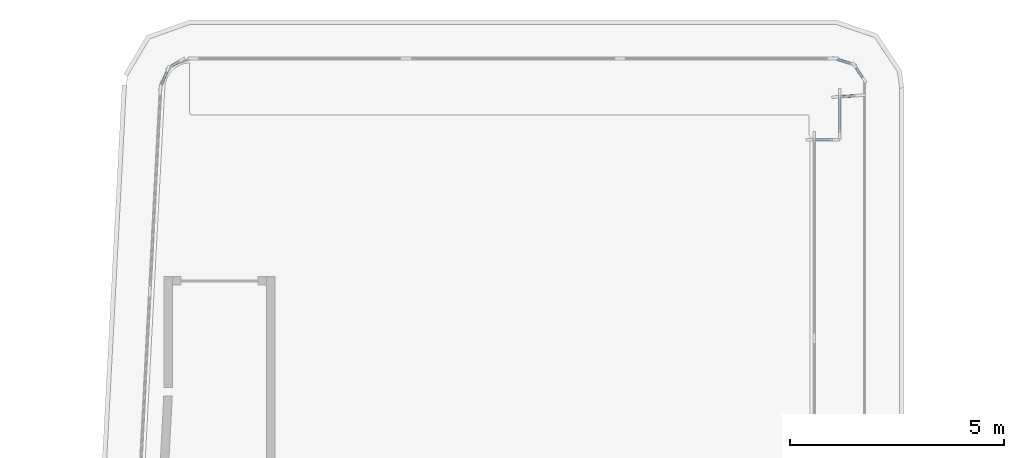
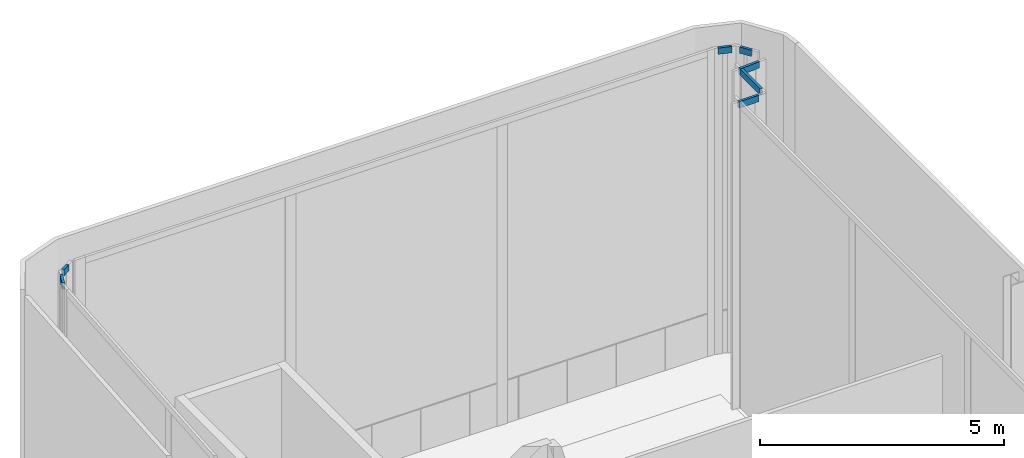
# One storey, part 10 of 23: 7 members, 7 elements without a shape of their own.
"""IFC4 building model written with IfcOpenShell, lengths in metres."""

from ifc_helpers import new_model, si_unit, direction, frame, origin, origin_2d, place, context, subcontext, project, spatial, rectangle, extrude, material, layer, layer_set, material_profile, profile_set, type_object, element, aggregate, save


model = new_model("IFC4")

# Units and contexts
model_context = context("Model", 3, precision=1e-05, world=origin(), true_north=direction((0.0, 1.0)))
body_context = subcontext(model_context, "Body", "Model", "MODEL_VIEW")
ifc_project = project(units=[si_unit("LENGTHUNIT", "METRE"), si_unit("AREAUNIT", "SQUARE_METRE"), si_unit("VOLUMEUNIT", "CUBIC_METRE"), si_unit("PLANEANGLEUNIT", "RADIAN"), si_unit("MASSUNIT", "GRAM", prefix="KILO")], contexts=[model_context])

# Site, building, storey
site_placement = place(None, origin())
site = spatial("IfcSite", under=ifc_project, at=site_placement, CompositionType="ELEMENT")
building_placement = place(site_placement, origin())
building = spatial("IfcBuilding", under=site, at=building_placement, Name="Kheshtan School and Residences Tower", CompositionType="ELEMENT")
storey_placement = place(building_placement, frame((0.0, 0.0, 389.0)))
storey = spatial("IfcBuildingStorey", under=building, at=storey_placement, Name="L92", CompositionType="ELEMENT", Elevation=389.0)

# Curtain wall, member
ifc_material_1 = material(Name="Clear low-e glass in thermally broken aluminium frame", Category="aluminium")
ifc_layer = layer(ifc_material_1, 0.25)
ifc_layer_set = layer_set([ifc_layer], Name="Curtain wall CW-K")
curtain_wall_type = type_object("IfcCurtainWallType", Name="Curtain wall CW-K", PredefinedType="NOTDEFINED", material=ifc_layer_set)
curtain_wall_1_placement = place(storey_placement, origin())
curtain_wall_1 = element("IfcCurtainWall", 1, at=curtain_wall_1_placement, inside=storey, type_object=curtain_wall_type, Name="Curtain wall CWK11a", PredefinedType="NOTDEFINED")
ifc_material_2 = material(Name="Thermally broken aluminium, dark bronze anodised", Category="aluminium")
ifc_material_profile = material_profile(ifc_material_2, rectangle(XDim=0.06005859375, YDim=0.159912109375, at=origin_2d()), Name="CW-K transom 60x160")
ifc_profile_set = profile_set([ifc_material_profile], Name="Thermally broken aluminium, dark bronze anodised")
member_type = type_object("IfcMemberType", Name="CW-K transom 60x160", PredefinedType="USERDEFINED", material=ifc_profile_set)
member_1_placement = place(storey_placement, frame((30.75146484375, 98.59375, 7.570068359375), z_axis=(0.370720586552, 0.928744446393, 0.0), x_axis=(-0.928744446393, 0.370720586552, 0.0)))
member_1 = element("IfcMember", 2, at=member_1_placement, type_object=member_type, Name="CWK11a transom 1", ObjectType="TRANSOM", PredefinedType="USERDEFINED", context=body_context, shape_type="SweptSolid", body=[
    extrude(rectangle(XDim=0.06005859375, YDim=0.159912109375, at=origin_2d()), origin(), (0.0, 0.0, 1.0), 0.314208984375),
])
aggregate(curtain_wall_1, [member_1])

curtain_wall_2_placement = place(storey_placement, origin())
curtain_wall_2 = element("IfcCurtainWall", 3, at=curtain_wall_2_placement, inside=storey, type_object=curtain_wall_type, Name="Curtain wall CWK12a", PredefinedType="NOTDEFINED")
member_2_placement = place(storey_placement, frame((30.981689453125, 99.0205078125, 7.570068359375), z_axis=(0.851698929261, 0.524031424531, 0.0), x_axis=(-0.524031424531, 0.851698929261, 0.0)))
member_2 = element("IfcMember", 4, at=member_2_placement, type_object=member_type, Name="CWK12a transom 1", ObjectType="TRANSOM", PredefinedType="USERDEFINED", context=body_context, shape_type="SweptSolid", body=[
    extrude(rectangle(XDim=0.06005859375, YDim=0.159912109375, at=origin_2d()), origin(), (0.0, 0.0, 1.0), 0.206298828125),
])
aggregate(curtain_wall_2, [member_2])

curtain_wall_3_placement = place(storey_placement, origin())
curtain_wall_3 = element("IfcCurtainWall", 5, at=curtain_wall_3_placement, inside=storey, type_object=curtain_wall_type, Name="Curtain wall CWK14a", PredefinedType="NOTDEFINED")
member_3_placement = place(storey_placement, frame((46.5576171875, 99.177001953125, 7.570068359375), z_axis=(0.95258765561, -0.304264290347, 0.0), x_axis=(0.304264290347, 0.95258765561, 0.0)))
member_3 = element("IfcMember", 6, at=member_3_placement, type_object=member_type, Name="CWK14a transom 1", ObjectType="TRANSOM", PredefinedType="USERDEFINED", context=body_context, shape_type="SweptSolid", body=[
    extrude(rectangle(XDim=0.06005859375, YDim=0.159912109375, at=origin_2d()), origin(), (0.0, 0.0, 1.0), 0.29443359375),
])
aggregate(curtain_wall_3, [member_3])

curtain_wall_4_placement = place(storey_placement, origin())
curtain_wall_4 = element("IfcCurtainWall", 7, at=curtain_wall_4_placement, inside=storey, type_object=curtain_wall_type, Name="Curtain wall CWK15a", PredefinedType="NOTDEFINED")
member_4_placement = place(storey_placement, frame((46.9814453125, 98.979736328125, 7.570068359375), z_axis=(0.555554602959, -0.831480055762, 0.0), x_axis=(0.831480055762, 0.555554602959, 0.0)))
member_4 = element("IfcMember", 8, at=member_4_placement, type_object=member_type, Name="CWK15a transom 1", ObjectType="TRANSOM", PredefinedType="USERDEFINED", context=body_context, shape_type="SweptSolid", body=[
    extrude(rectangle(XDim=0.06005859375, YDim=0.159912109375, at=origin_2d()), origin(), (0.0, 0.0, 1.0), 0.263671875),
])
aggregate(curtain_wall_4, [member_4])

curtain_wall_5_placement = place(storey_placement, origin())
curtain_wall_5 = element("IfcCurtainWall", 9, at=curtain_wall_5_placement, inside=storey, type_object=curtain_wall_type, Name="Curtain wall CWK16a", PredefinedType="NOTDEFINED")
member_5_placement = place(storey_placement, frame((47.046630859375, 98.33642578125, 7.570068359375), z_axis=(-0.997889406483, -0.064936372155, 0.0), x_axis=(0.064936372155, -0.997889406483, 0.0)))
member_5 = element("IfcMember", 10, at=member_5_placement, type_object=member_type, Name="CWK16a transom 1", ObjectType="TRANSOM", PredefinedType="USERDEFINED", context=body_context, shape_type="SweptSolid", body=[
    extrude(rectangle(XDim=0.06005859375, YDim=0.159912109375, at=origin_2d()), origin(), (0.0, 0.0, 1.0), 0.481201171875),
])
aggregate(curtain_wall_5, [member_5])

curtain_wall_6_placement = place(storey_placement, origin())
curtain_wall_6 = element("IfcCurtainWall", 11, at=curtain_wall_6_placement, inside=storey, type_object=curtain_wall_type, Name="Curtain wall CWK17a", PredefinedType="NOTDEFINED")
member_6_placement = place(storey_placement, frame((46.60009765625, 98.341064453125, 7.570068359375), z_axis=(0.0, -1.0, 0.0), x_axis=(1.0, 0.0, 0.0)))
member_6 = element("IfcMember", 12, at=member_6_placement, type_object=member_type, Name="CWK17a transom 1", ObjectType="TRANSOM", PredefinedType="USERDEFINED", context=body_context, shape_type="SweptSolid", body=[
    extrude(rectangle(XDim=0.06005859375, YDim=0.159912109375, at=origin_2d()), origin(), (0.0, 0.0, 1.0), 0.881103515625),
])
aggregate(curtain_wall_6, [member_6])

curtain_wall_7_placement = place(storey_placement, origin())
curtain_wall_7 = element("IfcCurtainWall", 13, at=curtain_wall_7_placement, inside=storey, type_object=curtain_wall_type, Name="Curtain wall CWK18a", PredefinedType="NOTDEFINED")
member_7_placement = place(storey_placement, frame((46.43994140625, 97.300048828125, 7.570068359375), z_axis=(-1.0, 0.0, 0.0), x_axis=(0.0, -1.0, 0.0)))
member_7 = element("IfcMember", 14, at=member_7_placement, type_object=member_type, Name="CWK18a transom 1", ObjectType="TRANSOM", PredefinedType="USERDEFINED", context=body_context, shape_type="SweptSolid", body=[
    extrude(rectangle(XDim=0.06005859375, YDim=0.159912109375, at=origin_2d()), origin(), (0.0, 0.0, 1.0), 0.47998046875),
])
aggregate(curtain_wall_7, [member_7])

save(model, "model.ifc")
